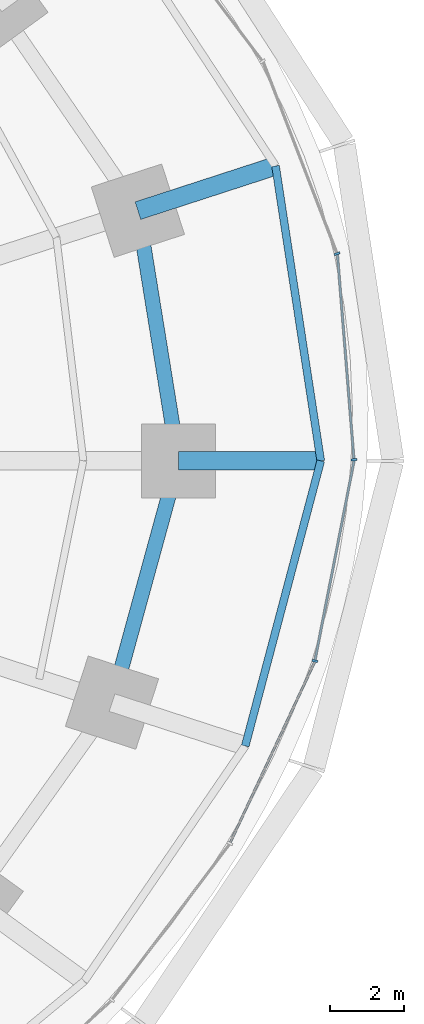
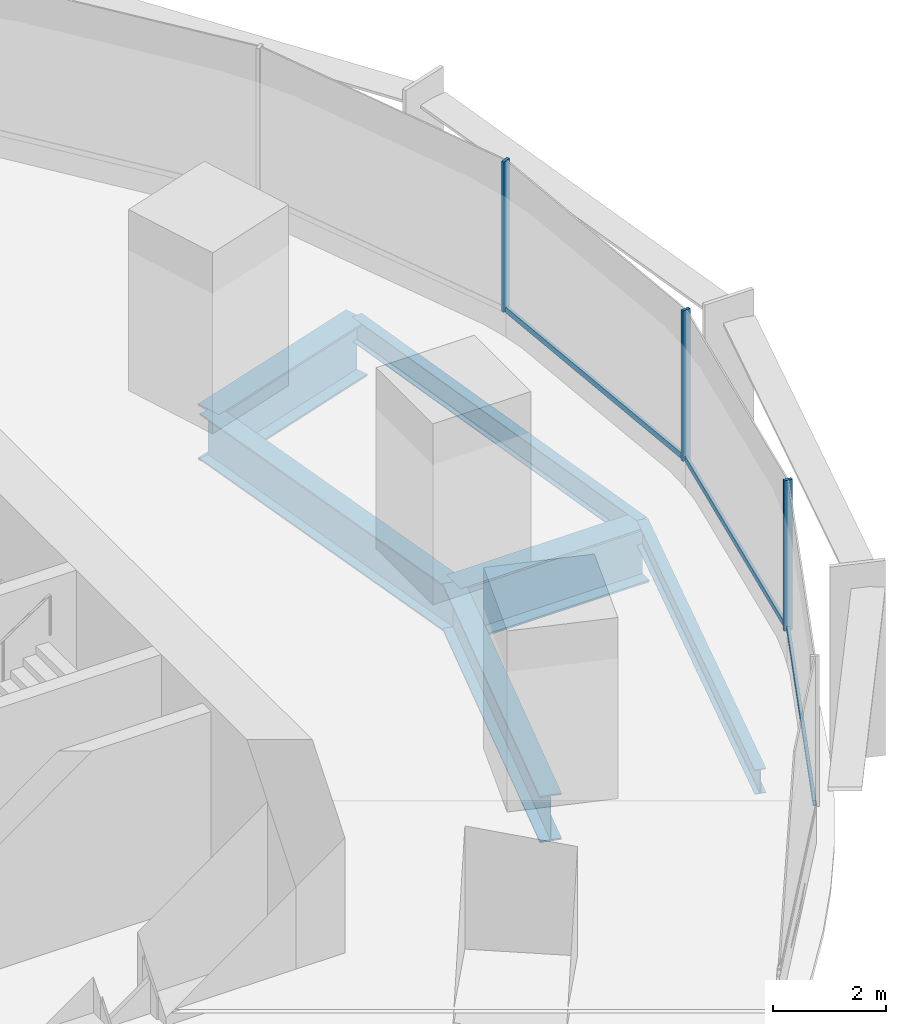
# One storey, part 6 of 15: 6 beams, 6 members, 2 elements without a shape of their own.
"""IFC4 building model written with IfcOpenShell, lengths in metres."""

import ifcopenshell
import ifcopenshell.guid

model = None  # the IFC model being written
_history = None  # IfcOwnerHistory: only IFC2X3 demands one
_inside = {}  # id of a spatial element -> (the spatial element, [elements in it])
_under = {}  # id of a project, library or spatial element -> (it, [spatial elements below it])
_declared = {}  # id of a project -> (the project, [libraries it declares])
_typed = {}  # id of a type object -> (the type object, [elements of that type])
_made_of = {}  # id of a material, layer set ... -> (it, [elements and type objects made of it])


def new_model(schema):
    """Start an empty IFC model of exactly this schema.

    Asked for "IFC4X3", IfcOpenShell would pick the latest addendum, in which some entities
    have other attributes; the version numbers below select the first issue.
    IFC2X3 requires an IfcOwnerHistory on every rooted entity: one is made here for all.
    """
    global model, _history
    if schema == "IFC4X3":
        model = ifcopenshell.file(schema_version=(4, 3, 0, 0))
    else:
        model = ifcopenshell.file(schema=schema)
    _inside.clear()
    _under.clear()
    _declared.clear()
    _typed.clear()
    _made_of.clear()
    _history = None
    if model.schema == "IFC2X3":
        org = make("IfcOrganization", Name="unknown")
        user = make(
            "IfcPersonAndOrganization",
            ThePerson=make("IfcPerson", FamilyName="unknown"),
            TheOrganization=org,
        )
        app = make(
            "IfcApplication",
            ApplicationDeveloper=org,
            Version="unknown",
            ApplicationFullName="unknown",
            ApplicationIdentifier="unknown",
        )
        _history = make(
            "IfcOwnerHistory",
            OwningUser=user,
            OwningApplication=app,
            ChangeAction="ADDED",
            CreationDate=0,
        )
    return model


def make(cls, **values):
    """One entity of the class cls with the attributes given. An attribute that is None is left unset."""
    return model.create_entity(
        cls, **{name: value for name, value in values.items() if value is not None}
    )


def rooted(cls, **values):
    """An entity with a GlobalId (a new one), such as an element, a storey or a relation."""
    return make(cls, GlobalId=ifcopenshell.guid.new(), OwnerHistory=_history, **values)


def si_unit(unit_type, name, prefix=None):
    """IfcSIUnit, for example si_unit("LENGTHUNIT", "METRE", prefix="MILLI")."""
    return make("IfcSIUnit", UnitType=unit_type, Prefix=prefix, Name=name)


def assignment(units):
    """IfcUnitAssignment: the units of a project."""
    return None if units is None else make("IfcUnitAssignment", Units=units)


def point(xyz):
    """IfcCartesianPoint."""
    return None if xyz is None else make("IfcCartesianPoint", Coordinates=xyz)


def direction(xyz):
    """IfcDirection."""
    return None if xyz is None else make("IfcDirection", DirectionRatios=xyz)


def frame(location, z_axis=None, x_axis=None):
    """IfcAxis2Placement3D, a coordinate frame: its origin and axes. An axis left out is left unset."""
    return make(
        "IfcAxis2Placement3D",
        Location=point(location),
        Axis=direction(z_axis),
        RefDirection=direction(x_axis),
    )


def frame_2d(location, x_axis=None):
    """IfcAxis2Placement2D, a coordinate frame in the plane: its origin and x axis."""
    return make(
        "IfcAxis2Placement2D", Location=point(location), RefDirection=direction(x_axis)
    )


def origin():
    """The frame at (0, 0, 0) with its axes left unset."""
    return frame((0.0, 0.0, 0.0))


def origin_2d():
    """The frame at (0, 0) in the plane with its x axis left unset."""
    return frame_2d((0.0, 0.0))


def place(relative_to, where):
    """IfcLocalPlacement: puts the frame where relative to a parent placement (None: the world)."""
    return make(
        "IfcLocalPlacement", PlacementRelTo=relative_to, RelativePlacement=where
    )


def context(
    kind, dimensions, precision=None, world=None, true_north=None, identifier=None
):
    """IfcGeometricRepresentationContext, for example the 3D "Model" context."""
    return make(
        "IfcGeometricRepresentationContext",
        ContextIdentifier=identifier,
        ContextType=kind,
        CoordinateSpaceDimension=dimensions,
        Precision=precision,
        WorldCoordinateSystem=world,
        TrueNorth=true_north,
    )


def subcontext(parent, identifier, kind, view, scale=None):
    """IfcGeometricRepresentationSubContext, for example "Body" below "Model"."""
    return make(
        "IfcGeometricRepresentationSubContext",
        ContextIdentifier=identifier,
        ContextType=kind,
        ParentContext=parent,
        TargetScale=scale,
        TargetView=view,
    )


def project(units=None, contexts=None):
    """IfcProject with its units and contexts."""
    return rooted(
        "IfcProject",
        Name="project",
        RepresentationContexts=contexts,
        UnitsInContext=assignment(units),
    )


def spatial(cls, under=None, at=None, **own):
    """A site, building, storey or space (cls), placed at a placement, below another one or the project."""
    s = rooted(cls, ObjectPlacement=at, **own)
    if under is not None:
        _under.setdefault(under.id(), (under, []))[1].append(s)
    return s


def profile(cls, at=None, kind="AREA", **sizes):
    """A parametric profile (cls). Its sizes go by their IFC names, for example OverallWidth=200.0."""
    return make(cls, ProfileType=kind, Position=at, **sizes)


def rectangle(**sizes):
    """IfcRectangleProfileDef."""
    return profile("IfcRectangleProfileDef", **sizes)


def i_section(**sizes):
    """IfcIShapeProfileDef."""
    return profile("IfcIShapeProfileDef", **sizes)


def extrude(swept, where, along, depth):
    """IfcExtrudedAreaSolid: the profile swept, set in the frame where, extruded along a direction by depth."""
    return make(
        "IfcExtrudedAreaSolid",
        SweptArea=swept,
        Position=where,
        ExtrudedDirection=direction(along),
        Depth=depth,
    )


def shape(context_of_items, identifier, shape_type, items):
    """IfcShapeRepresentation: the items that make up one representation, for example the "Body"."""
    return make(
        "IfcShapeRepresentation",
        ContextOfItems=context_of_items,
        RepresentationIdentifier=identifier,
        RepresentationType=shape_type,
        Items=items,
    )


def material(Name=None, Category=None):
    """IfcMaterial."""
    return make("IfcMaterial", Name=Name, Category=Category)


def material_profile(
    of_material, cross_section, Name=None, Category=None, Priority=None
):
    """IfcMaterialProfile: a cross section and its material."""
    return make(
        "IfcMaterialProfile",
        Name=Name,
        Material=of_material,
        Profile=cross_section,
        Priority=Priority,
        Category=Category,
    )


def profile_set(profiles, Name=None, composite=None):
    """IfcMaterialProfileSet."""
    return make(
        "IfcMaterialProfileSet",
        Name=Name,
        MaterialProfiles=profiles,
        CompositeProfile=composite,
    )


def made_of(thing, what):
    """Note that an element or type object is made of a material, layer set ...; save() writes the relation."""
    if what is not None:
        _made_of.setdefault(what.id(), (what, []))[1].append(thing)
    return thing


def type_object(cls, material=None, **own):
    """A type object (cls), such as IfcWallType, which elements share."""
    return made_of(rooted(cls, **own), material)


def element(
    cls,
    number,
    at=None,
    inside=None,
    cuts=None,
    type_object=None,
    material=None,
    context=None,
    identifier="Body",
    shape_type=None,
    held_by="IfcProductDefinitionShape",
    body=None,
    shapes=None,
    **own,
):
    """One element of the class cls, such as IfcWall. Its Tag is "e" and its number.

    at: its placement. inside: the storey or other place that contains it. cuts: it is an
    opening in that element (IfcRelVoidsElement). A single representation is given by context,
    identifier, shape_type and body (its items); several are given by shapes. held_by: the class
    of the entity that holds the representations. save() writes the other relations.
    """
    e = rooted(cls, Tag="e%d" % number, ObjectPlacement=at, **own)
    if body is not None:
        shapes = [shape(context, identifier, shape_type, body)]
    if shapes is not None:
        e.Representation = make(held_by, Representations=shapes)
    if inside is not None:
        _inside.setdefault(inside.id(), (inside, []))[1].append(e)
    if cuts is not None:
        rooted(
            "IfcRelVoidsElement", RelatingBuildingElement=cuts, RelatedOpeningElement=e
        )
    if type_object is not None:
        _typed.setdefault(type_object.id(), (type_object, []))[1].append(e)
    return made_of(e, material)


def aggregate(whole, parts):
    """IfcRelAggregates: a whole, such as a stair, and the parts it consists of."""
    return rooted("IfcRelAggregates", RelatingObject=whole, RelatedObjects=parts)


def save(model, path):
    """Write the relations noted so far, then the file.

    IfcRelAggregates (storeys below a building ...), IfcRelContainedInSpatialStructure (elements
    in a storey), IfcRelDefinesByType, IfcRelAssociatesMaterial and IfcRelDeclares: one each for
    every whole, place, type object, material and project.
    """
    for whole, parts in _under.values():
        aggregate(whole, parts)
    for where, things in _inside.values():
        rooted(
            "IfcRelContainedInSpatialStructure",
            RelatedElements=things,
            RelatingStructure=where,
        )
    for kind, things in _typed.values():
        rooted("IfcRelDefinesByType", RelatedObjects=things, RelatingType=kind)
    for what, things in _made_of.values():
        rooted("IfcRelAssociatesMaterial", RelatedObjects=things, RelatingMaterial=what)
    for by, libraries in _declared.values():
        rooted("IfcRelDeclares", RelatingContext=by, RelatedDefinitions=libraries)
    model.write(path)


model = new_model("IFC4")

# Units and contexts
model_context = context("Model", 3, precision=1e-05, world=origin(), true_north=direction((0.0, 1.0)))
body_context = subcontext(model_context, "Body", "Model", "MODEL_VIEW")
ifc_project = project(units=[si_unit("LENGTHUNIT", "METRE"), si_unit("AREAUNIT", "SQUARE_METRE"), si_unit("VOLUMEUNIT", "CUBIC_METRE"), si_unit("PLANEANGLEUNIT", "RADIAN"), si_unit("MASSUNIT", "GRAM", prefix="KILO")], contexts=[model_context])

# Site, building, storey
site_placement = place(None, origin())
site = spatial("IfcSite", under=ifc_project, at=site_placement, CompositionType="ELEMENT")
building_placement = place(site_placement, origin())
building = spatial("IfcBuilding", under=site, at=building_placement, Name="Marramba Exchange Tower", CompositionType="ELEMENT")
storey_placement = place(building_placement, frame((0.0, 0.0, 61.60009765625)))
storey = spatial("IfcBuildingStorey", under=building, at=storey_placement, Name="L14", CompositionType="ELEMENT", Elevation=61.60009765625)

# Beams
ifc_material_1 = material(Name="Steel AS/NZS 3679.2 grade 300", Category="steel")
ifc_material_profile_1 = material_profile(ifc_material_1, i_section(OverallWidth=0.5, OverallDepth=1.199951171875, WebThickness=0.01611328125, FlangeThickness=0.0400390625, at=origin_2d()), Name="1200WB455")
ifc_profile_set_1 = profile_set([ifc_material_profile_1], Name="Steel AS/NZS 3679.2 grade 300")
beam_type_1 = type_object("IfcBeamType", Name="Cantilever girder 1200WB455", PredefinedType="BEAM", material=ifc_profile_set_1)
beam_1_placement = place(storey_placement, frame((21.89990234375, 0.0, -0.760009765625), z_axis=(1.0, 0.0, 0.0), x_axis=(0.0, 1.0, 0.0)))
element("IfcBeam", 1, at=beam_1_placement, inside=storey, type_object=beam_type_1, Name="Cantilever girder L14 TC01", PredefinedType="BEAM", context=body_context, shape_type="SweptSolid", body=[
    extrude(i_section(OverallWidth=0.5, OverallDepth=1.199951171875, WebThickness=0.01611328125, FlangeThickness=0.0400390625, at=origin_2d()), origin(), (0.0, 0.0, 1.0), 3.85009765625),
])
beam_2_placement = place(storey_placement, frame((20.808349609375, 6.760986328125, -0.760009765625), z_axis=(0.951058833549, 0.309009862508, 0.0), x_axis=(-0.309009862508, 0.951058833549, 0.0)))
element("IfcBeam", 2, at=beam_2_placement, inside=storey, type_object=beam_type_1, Name="Cantilever girder L14 TC02", PredefinedType="BEAM", context=body_context, shape_type="SweptSolid", body=[
    extrude(i_section(OverallWidth=0.5, OverallDepth=1.199951171875, WebThickness=0.01611328125, FlangeThickness=0.0400390625, at=origin_2d()), origin(), (0.0, 0.0, 1.0), 3.91162109375),
])
ifc_material_profile_2 = material_profile(ifc_material_1, i_section(OverallWidth=0.39990234375, OverallDepth=1.0, WebThickness=0.01611328125, FlangeThickness=0.031982421875, at=origin_2d()), Name="1000WB322")
ifc_profile_set_2 = profile_set([ifc_material_profile_2], Name="Steel AS/NZS 3679.2 grade 300")
beam_type_2 = type_object("IfcBeamType", Name="Ring beam 1000WB322", PredefinedType="SPANDREL", material=ifc_profile_set_2)
beam_3_placement = place(storey_placement, frame((21.89990234375, 0.0, -0.66015625), z_axis=(-0.159384865399, 0.987216523708, 0.0), x_axis=(-0.987216523708, -0.159384865399, 0.0)))
element("IfcBeam", 3, at=beam_3_placement, inside=storey, type_object=beam_type_2, Name="Ring beam L14 TC01-TC02", PredefinedType="SPANDREL", context=body_context, shape_type="SweptSolid", body=[
    extrude(i_section(OverallWidth=0.39990234375, OverallDepth=1.0, WebThickness=0.01611328125, FlangeThickness=0.031982421875, at=origin_2d()), origin(), (0.0, 0.0, 1.0), 6.8486328125),
])
beam_4_placement = place(storey_placement, frame((20.109375, -6.533935546875, -0.66015625), z_axis=(0.264291166956, 0.964442937176, 0.0), x_axis=(-0.964442937176, 0.264291166956, 0.0)))
element("IfcBeam", 4, at=beam_4_placement, inside=storey, type_object=beam_type_2, Name="Ring beam L14 TC20-TC01", PredefinedType="SPANDREL", context=body_context, shape_type="SweptSolid", body=[
    extrude(i_section(OverallWidth=0.39990234375, OverallDepth=1.0, WebThickness=0.01611328125, FlangeThickness=0.031982421875, at=origin_2d()), origin(), (0.0, 0.0, 1.0), 6.77490234375),
])
ifc_material_2 = material(Name="Steel AS/NZS 3679.1 grade 300", Category="steel")
ifc_material_profile_3 = material_profile(ifc_material_2, i_section(OverallWidth=0.208984375, OverallDepth=0.528076171875, WebThickness=0.009521484375, FlangeThickness=0.01318359375, FilletRadius=0.013916015625, at=origin_2d()), Name="530UB82.0")
ifc_profile_set_3 = profile_set([ifc_material_profile_3], Name="Steel AS/NZS 3679.1 grade 300")
beam_type_3 = type_object("IfcBeamType", Name="Slab edge beam 530UB82.0", PredefinedType="SPANDREL", material=ifc_profile_set_3)
beam_5_placement = place(storey_placement, frame((25.75, 0.0, -0.424072265625), z_axis=(-0.151490591645, 0.988458699513, 0.0), x_axis=(-0.988458699513, -0.151490591645, 0.0)))
element("IfcBeam", 5, at=beam_5_placement, inside=storey, type_object=beam_type_3, Name="Slab edge beam L14 TC01-TC02", PredefinedType="SPANDREL", context=body_context, shape_type="SweptSolid", body=[
    extrude(i_section(OverallWidth=0.208984375, OverallDepth=0.528076171875, WebThickness=0.009521484375, FlangeThickness=0.01318359375, FilletRadius=0.013916015625, at=origin_2d()), origin(), (0.0, 0.0, 1.0), 8.062744140625),
])
beam_6_placement = place(storey_placement, frame((23.709716796875, -7.703857421875, -0.424072265625), z_axis=(0.25601296674, 0.966673347549, 0.0), x_axis=(-0.966673347549, 0.25601296674, 0.0)))
element("IfcBeam", 6, at=beam_6_placement, inside=storey, type_object=beam_type_3, Name="Slab edge beam L14 TC20-TC01", PredefinedType="SPANDREL", context=body_context, shape_type="SweptSolid", body=[
    extrude(i_section(OverallWidth=0.208984375, OverallDepth=0.528076171875, WebThickness=0.009521484375, FlangeThickness=0.01318359375, FilletRadius=0.013916015625, at=origin_2d()), origin(), (0.0, 0.0, 1.0), 7.969482421875),
])

# Curtain wall, members
ifc_material_3 = material(Name="Aluminium framing, bronze anodised", Category="aluminium")
curtain_wall_type = type_object("IfcCurtainWallType", Name="Trading floor ribbon curtain wall", PredefinedType="USERDEFINED", material=ifc_material_3)
curtain_wall_1_placement = place(storey_placement, origin())
curtain_wall_1 = element("IfcCurtainWall", 7, at=curtain_wall_1_placement, inside=storey, type_object=curtain_wall_type, Name="Curtain wall CW3 L14 F01-F05", ObjectType="RIBBON CURTAIN WALL", PredefinedType="USERDEFINED")
ifc_material_4 = material(Name="Aluminium mullion, bronze anodised", Category="aluminium")
ifc_material_profile_4 = material_profile(ifc_material_4, rectangle(XDim=0.159912109375, YDim=0.06005859375, at=origin_2d()), Name="CW3 mullion 60x160")
ifc_profile_set_4 = profile_set([ifc_material_profile_4], Name="Aluminium mullion, bronze anodised")
member_type_1 = type_object("IfcMemberType", Name="Trading floor ribbon curtain wall mullion", PredefinedType="MULLION", material=ifc_profile_set_4)
member_1_placement = place(storey_placement, frame((26.647705078125, 0.02978515625, 0.7998046875), z_axis=(0.0, 0.0, 1.0), x_axis=(-0.996772736434, -0.080275225953, 0.0)))
member_1 = element("IfcMember", 8, at=member_1_placement, type_object=member_type_1, Name="CW3 mullion 1", PredefinedType="MULLION", context=body_context, shape_type="SweptSolid", body=[
    extrude(rectangle(XDim=0.159912109375, YDim=0.06005859375, at=origin_2d()), origin(), (0.0, 0.0, 1.0), 3.239990234375),
])
member_2_placement = place(storey_placement, frame((26.190673828125, 5.597412109375, 0.7998046875), z_axis=(0.0, 0.0, 1.0), x_axis=(-0.933135256626, -0.359525510698, 0.0)))
member_2 = element("IfcMember", 9, at=member_2_placement, type_object=member_type_1, Name="CW3 mullion 1", PredefinedType="MULLION", context=body_context, shape_type="SweptSolid", body=[
    extrude(rectangle(XDim=0.159912109375, YDim=0.06005859375, at=origin_2d()), origin(), (0.0, 0.0, 1.0), 3.239990234375),
])

# Curtain wall, member
curtain_wall_2_placement = place(storey_placement, origin())
curtain_wall_2 = element("IfcCurtainWall", 10, at=curtain_wall_2_placement, inside=storey, type_object=curtain_wall_type, Name="Curtain wall CW3 L14 F26-F30", ObjectType="RIBBON CURTAIN WALL", PredefinedType="USERDEFINED")
member_3_placement = place(storey_placement, frame((25.59033203125, -5.40869140625, 0.7998046875), z_axis=(0.0, 0.0, 1.0), x_axis=(-0.981346261612, 0.1922485756, 0.0)))
member_3 = element("IfcMember", 11, at=member_3_placement, type_object=member_type_1, Name="CW3 mullion 1", PredefinedType="MULLION", context=body_context, shape_type="SweptSolid", body=[
    extrude(rectangle(XDim=0.159912109375, YDim=0.06005859375, at=origin_2d()), origin(), (0.0, 0.0, 1.0), 3.239990234375),
])

# Member
ifc_material_5 = material(Name="Aluminium transom, bronze anodised", Category="aluminium")
ifc_material_profile_5 = material_profile(ifc_material_5, rectangle(XDim=0.06005859375, YDim=0.1201171875, at=origin_2d()), Name="CW3 transom 60x120")
ifc_profile_set_5 = profile_set([ifc_material_profile_5], Name="Aluminium transom, bronze anodised")
member_type_2 = type_object("IfcMemberType", Name="Trading floor ribbon curtain wall transom", PredefinedType="USERDEFINED", material=ifc_profile_set_5)
member_4_placement = place(storey_placement, frame((26.645263671875, 0.059814453125, 0.829833984375), z_axis=(-0.080299960686, 0.99677074411, 0.0), x_axis=(-0.99677074411, -0.080299960686, 0.0)))
member_4 = element("IfcMember", 12, at=member_4_placement, type_object=member_type_2, Name="CW3 sill transom", ObjectType="TRANSOM", PredefinedType="USERDEFINED", context=body_context, shape_type="SweptSolid", body=[
    extrude(rectangle(XDim=0.06005859375, YDim=0.1201171875, at=origin_2d()), origin(), (0.0, 0.0, 1.0), 5.52734375),
])

aggregate(curtain_wall_1, [member_1, member_4, member_2])

member_5_placement = place(storey_placement, frame((23.306640625, -10.31103515625, 0.829833984375), z_axis=(0.423511514213, 0.905890720412, 0.0), x_axis=(-0.905890720412, 0.423511514213, 0.0)))
member_5 = element("IfcMember", 13, at=member_5_placement, type_object=member_type_2, Name="CW3 sill transom", ObjectType="TRANSOM", PredefinedType="USERDEFINED", context=body_context, shape_type="SweptSolid", body=[
    extrude(rectangle(XDim=0.06005859375, YDim=0.1201171875, at=origin_2d()), origin(), (0.0, 0.0, 1.0), 5.37890625),
])

member_6_placement = place(storey_placement, frame((25.59619140625, -5.37939453125, 0.829833984375), z_axis=(0.192226081646, 0.981350667975, 0.0), x_axis=(-0.981350667975, 0.192226081646, 0.0)))
member_6 = element("IfcMember", 14, at=member_6_placement, type_object=member_type_2, Name="CW3 sill transom", ObjectType="TRANSOM", PredefinedType="USERDEFINED", context=body_context, shape_type="SweptSolid", body=[
    extrude(rectangle(XDim=0.06005859375, YDim=0.1201171875, at=origin_2d()), origin(), (0.0, 0.0, 1.0), 5.481689453125),
])

aggregate(curtain_wall_2, [member_5, member_3, member_6])

save(model, "model.ifc")
